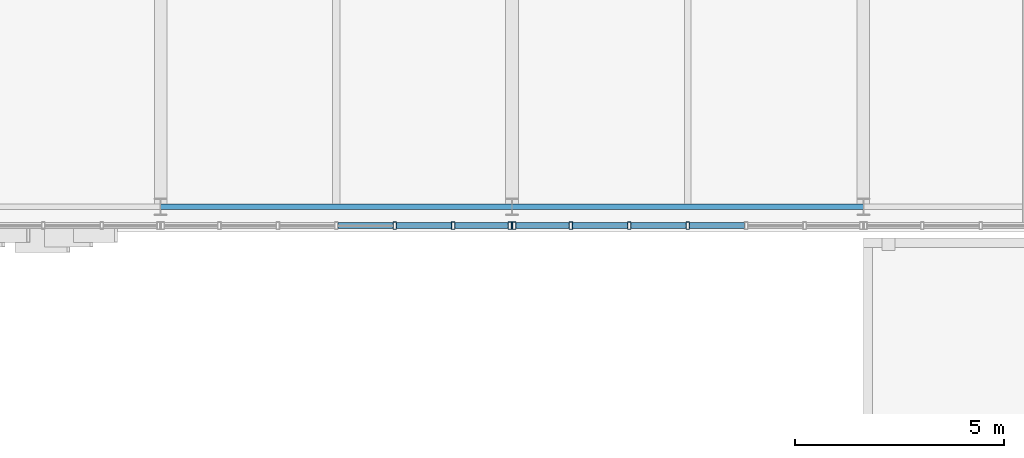
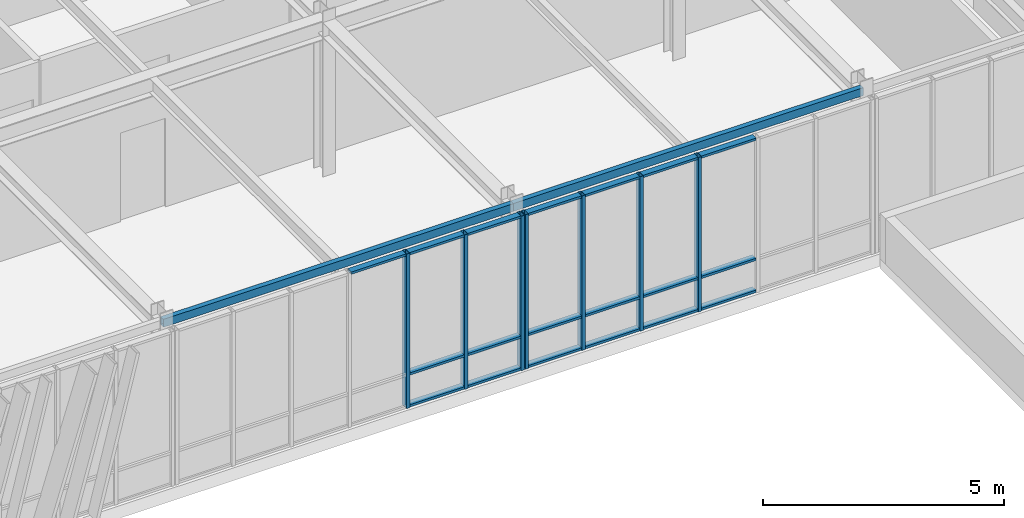
# One storey, part 25 of 127: 26 members, 2 beams, 2 elements without a shape of their own.
"""IFC4 building model written with IfcOpenShell, lengths in metres."""

from ifc_helpers import new_model, si_unit, direction, frame, origin, origin_2d, place, context, subcontext, project, spatial, hollow_rectangle, extrude, material, layer, layer_set, material_profile, profile_set, type_object, element, aggregate, save


model = new_model("IFC4")

# Units and contexts
model_context = context("Model", 3, precision=1e-05, world=origin(), true_north=direction((0.0, 1.0)))
body_context = subcontext(model_context, "Body", "Model", "MODEL_VIEW")
ifc_project = project(units=[si_unit("LENGTHUNIT", "METRE"), si_unit("AREAUNIT", "SQUARE_METRE"), si_unit("VOLUMEUNIT", "CUBIC_METRE"), si_unit("PLANEANGLEUNIT", "RADIAN"), si_unit("MASSUNIT", "GRAM", prefix="KILO")], contexts=[model_context])

# Site, building, storey
site_placement = place(None, origin())
site = spatial("IfcSite", under=ifc_project, at=site_placement, CompositionType="ELEMENT")
building_placement = place(site_placement, origin())
building = spatial("IfcBuilding", under=site, at=building_placement, Name="Zayran Congress Hotel", CompositionType="ELEMENT")
storey_placement = place(building_placement, frame((0.0, 0.0, 10.800048828125)))
storey = spatial("IfcBuildingStorey", under=building, at=storey_placement, Name="L02", CompositionType="ELEMENT", Elevation=10.800048828125)

# Beams
ifc_material_1 = material(Name="Steel S355", Category="steel")
ifc_material_profile_1 = material_profile(ifc_material_1, hollow_rectangle(XDim=0.1201171875, YDim=0.199951171875, WallThickness=0.008056640625, at=origin_2d()), Name="RHS 200x120x8")
ifc_profile_set_1 = profile_set([ifc_material_profile_1], Name="Steel S355")
beam_type = type_object("IfcBeamType", Name="TP-SP-02", PredefinedType="SPANDREL", material=ifc_profile_set_1)
beam_1_placement = place(storey_placement, frame((58.800048828125, 68.199951171875, 3.820068359375), z_axis=(1.0, 0.0, 0.0), x_axis=(0.0, 1.0, 0.0)))
element("IfcBeam", 1, at=beam_1_placement, inside=storey, type_object=beam_type, Name="BM-V1-L02-0658", PredefinedType="SPANDREL", context=body_context, shape_type="SweptSolid", body=[
    extrude(hollow_rectangle(XDim=0.1201171875, YDim=0.199951171875, WallThickness=0.008056640625, at=origin_2d()), origin(), (0.0, 0.0, 1.0), 8.39990234375),
])
beam_2_placement = place(storey_placement, frame((67.199951171875, 68.199951171875, 3.820068359375), z_axis=(1.0, 0.0, 0.0), x_axis=(0.0, 1.0, 0.0)))
element("IfcBeam", 2, at=beam_2_placement, inside=storey, type_object=beam_type, Name="BM-V1-L02-0659", PredefinedType="SPANDREL", context=body_context, shape_type="SweptSolid", body=[
    extrude(hollow_rectangle(XDim=0.1201171875, YDim=0.199951171875, WallThickness=0.008056640625, at=origin_2d()), origin(), (0.0, 0.0, 1.0), 8.400146484375),
])

# Curtain wall, members
ifc_material_2 = material(Name="Anodised aluminium and low-E insulated glass", Category="aluminium")
ifc_layer_1 = layer(ifc_material_2, 0.179931640625)
ifc_layer_set_1 = layer_set([ifc_layer_1], Name="Anodised aluminium and low-E insulated glass")
curtain_wall_type_1 = type_object("IfcCurtainWallType", Name="CW-V1S-L02-CW-11-8380-3920", PredefinedType="USERDEFINED", material=ifc_layer_set_1)
curtain_wall_1_placement = place(storey_placement, origin())
curtain_wall_1 = element("IfcCurtainWall", 3, at=curtain_wall_1_placement, inside=storey, type_object=curtain_wall_type_1, Name="CW-V1S-L02-6", ObjectType="CURTAIN WALL", PredefinedType="USERDEFINED")
ifc_material_3 = material(Name="Anodised aluminium framing", Category="aluminium")
ifc_material_profile_2 = material_profile(ifc_material_3, hollow_rectangle(XDim=0.080078125, YDim=0.179931640625, WallThickness=0.0048828125, at=origin_2d()), Name="RHS 180x80x5")
ifc_profile_set_2 = profile_set([ifc_material_profile_2], Name="Anodised aluminium framing")
member_type_1 = type_object("IfcMemberType", Name="TP-CWM-01", PredefinedType="MULLION", material=ifc_profile_set_2)
member_1_placement = place(storey_placement, frame((64.396728515625, 67.75, 0.0), z_axis=(0.0, 0.0, 1.0), x_axis=(1.0, 0.0, 0.0)))
member_1 = element("IfcMember", 4, at=member_1_placement, type_object=member_type_1, Name="CW-V1S-L02-6-M04", PredefinedType="MULLION", context=body_context, shape_type="SweptSolid", body=[
    extrude(hollow_rectangle(XDim=0.080078125, YDim=0.179931640625, WallThickness=0.0048828125, at=origin_2d()), origin(), (0.0, 0.0, 1.0), 3.919921875),
])
member_2_placement = place(storey_placement, frame((65.793212890625, 67.75, 0.0), z_axis=(0.0, 0.0, 1.0), x_axis=(1.0, 0.0, 0.0)))
member_2 = element("IfcMember", 5, at=member_2_placement, type_object=member_type_1, Name="CW-V1S-L02-6-M05", PredefinedType="MULLION", context=body_context, shape_type="SweptSolid", body=[
    extrude(hollow_rectangle(XDim=0.080078125, YDim=0.179931640625, WallThickness=0.0048828125, at=origin_2d()), origin(), (0.0, 0.0, 1.0), 3.919921875),
])
member_3_placement = place(storey_placement, frame((67.14990234375, 67.75, 0.0), z_axis=(0.0, 0.0, 1.0), x_axis=(1.0, 0.0, 0.0)))
member_3 = element("IfcMember", 6, at=member_3_placement, type_object=member_type_1, Name="CW-V1S-L02-6-M06", PredefinedType="MULLION", context=body_context, shape_type="SweptSolid", body=[
    extrude(hollow_rectangle(XDim=0.080078125, YDim=0.179931640625, WallThickness=0.0048828125, at=origin_2d()), origin(), (0.0, 0.0, 1.0), 3.919921875),
])

ifc_layer_2 = layer(ifc_material_2, 0.179931640625)
ifc_layer_set_2 = layer_set([ifc_layer_2], Name="Anodised aluminium and low-E insulated glass")
curtain_wall_type_2 = type_object("IfcCurtainWallType", Name="CW-V1S-L02-CW-12-8380-3920", PredefinedType="USERDEFINED", material=ifc_layer_set_2)
curtain_wall_2_placement = place(storey_placement, origin())
curtain_wall_2 = element("IfcCurtainWall", 7, at=curtain_wall_2_placement, inside=storey, type_object=curtain_wall_type_2, Name="CW-V1S-L02-7", ObjectType="CURTAIN WALL", PredefinedType="USERDEFINED")
member_4_placement = place(storey_placement, frame((67.25, 67.75, 0.0), z_axis=(0.0, 0.0, 1.0), x_axis=(1.0, 0.0, 0.0)))
member_4 = element("IfcMember", 8, at=member_4_placement, type_object=member_type_1, Name="CW-V1S-L02-7-M00", PredefinedType="MULLION", context=body_context, shape_type="SweptSolid", body=[
    extrude(hollow_rectangle(XDim=0.080078125, YDim=0.179931640625, WallThickness=0.0048828125, at=origin_2d()), origin(), (0.0, 0.0, 1.0), 3.919921875),
])
member_5_placement = place(storey_placement, frame((68.606689453125, 67.75, 0.0), z_axis=(0.0, 0.0, 1.0), x_axis=(1.0, 0.0, 0.0)))
member_5 = element("IfcMember", 9, at=member_5_placement, type_object=member_type_1, Name="CW-V1S-L02-7-M01", PredefinedType="MULLION", context=body_context, shape_type="SweptSolid", body=[
    extrude(hollow_rectangle(XDim=0.080078125, YDim=0.179931640625, WallThickness=0.0048828125, at=origin_2d()), origin(), (0.0, 0.0, 1.0), 3.919921875),
])
member_6_placement = place(storey_placement, frame((70.00341796875, 67.75, 0.0), z_axis=(0.0, 0.0, 1.0), x_axis=(1.0, 0.0, 0.0)))
member_6 = element("IfcMember", 10, at=member_6_placement, type_object=member_type_1, Name="CW-V1S-L02-7-M02", PredefinedType="MULLION", context=body_context, shape_type="SweptSolid", body=[
    extrude(hollow_rectangle(XDim=0.080078125, YDim=0.179931640625, WallThickness=0.0048828125, at=origin_2d()), origin(), (0.0, 0.0, 1.0), 3.919921875),
])
member_7_placement = place(storey_placement, frame((71.39990234375, 67.75, 0.0), z_axis=(0.0, 0.0, 1.0), x_axis=(1.0, 0.0, 0.0)))
member_7 = element("IfcMember", 11, at=member_7_placement, type_object=member_type_1, Name="CW-V1S-L02-7-M03", PredefinedType="MULLION", context=body_context, shape_type="SweptSolid", body=[
    extrude(hollow_rectangle(XDim=0.080078125, YDim=0.179931640625, WallThickness=0.0048828125, at=origin_2d()), origin(), (0.0, 0.0, 1.0), 3.919921875),
])

# Member
ifc_material_profile_3 = material_profile(ifc_material_3, hollow_rectangle(XDim=0.06005859375, YDim=0.14990234375, WallThickness=0.00390625, at=origin_2d()), Name="RHS 150x60x4")
ifc_profile_set_3 = profile_set([ifc_material_profile_3], Name="Anodised aluminium framing")
member_type_2 = type_object("IfcMemberType", Name="TP-CWT-01", PredefinedType="USERDEFINED", material=ifc_profile_set_3)
member_8_placement = place(storey_placement, frame((63.0400390625, 67.75, 3.889892578125), z_axis=(1.0, 0.0, 0.0), x_axis=(0.0, 0.0, 1.0)))
member_8 = element("IfcMember", 12, at=member_8_placement, type_object=member_type_2, Name="CW-V1S-L02-6-T03-2", ObjectType="TRANSOM", PredefinedType="USERDEFINED", context=body_context, shape_type="SweptSolid", body=[
    extrude(hollow_rectangle(XDim=0.06005859375, YDim=0.14990234375, WallThickness=0.00390625, at=origin_2d()), origin(), (0.0, 0.0, 1.0), 1.316650390625),
])

member_9_placement = place(storey_placement, frame((64.436767578125, 67.75, 0.030029296875), z_axis=(1.0, 0.0, 0.0), x_axis=(0.0, 0.0, 1.0)))
member_9 = element("IfcMember", 13, at=member_9_placement, type_object=member_type_2, Name="CW-V1S-L02-6-T04-0", ObjectType="TRANSOM", PredefinedType="USERDEFINED", context=body_context, shape_type="SweptSolid", body=[
    extrude(hollow_rectangle(XDim=0.06005859375, YDim=0.14990234375, WallThickness=0.00390625, at=origin_2d()), origin(), (0.0, 0.0, 1.0), 1.316650390625),
])

member_10_placement = place(storey_placement, frame((64.436767578125, 67.75, 0.83984375), z_axis=(1.0, 0.0, 0.0), x_axis=(0.0, 0.0, 1.0)))
member_10 = element("IfcMember", 14, at=member_10_placement, type_object=member_type_2, Name="CW-V1S-L02-6-T04-1", ObjectType="TRANSOM", PredefinedType="USERDEFINED", context=body_context, shape_type="SweptSolid", body=[
    extrude(hollow_rectangle(XDim=0.06005859375, YDim=0.14990234375, WallThickness=0.00390625, at=origin_2d()), origin(), (0.0, 0.0, 1.0), 1.316650390625),
])

member_11_placement = place(storey_placement, frame((64.436767578125, 67.75, 3.889892578125), z_axis=(1.0, 0.0, 0.0), x_axis=(0.0, 0.0, 1.0)))
member_11 = element("IfcMember", 15, at=member_11_placement, type_object=member_type_2, Name="CW-V1S-L02-6-T04-2", ObjectType="TRANSOM", PredefinedType="USERDEFINED", context=body_context, shape_type="SweptSolid", body=[
    extrude(hollow_rectangle(XDim=0.06005859375, YDim=0.14990234375, WallThickness=0.00390625, at=origin_2d()), origin(), (0.0, 0.0, 1.0), 1.316650390625),
])

member_12_placement = place(storey_placement, frame((65.833251953125, 67.75, 0.030029296875), z_axis=(1.0, 0.0, 0.0), x_axis=(0.0, 0.0, 1.0)))
member_12 = element("IfcMember", 16, at=member_12_placement, type_object=member_type_2, Name="CW-V1S-L02-6-T05-0", ObjectType="TRANSOM", PredefinedType="USERDEFINED", context=body_context, shape_type="SweptSolid", body=[
    extrude(hollow_rectangle(XDim=0.06005859375, YDim=0.14990234375, WallThickness=0.00390625, at=origin_2d()), origin(), (0.0, 0.0, 1.0), 1.27685546875),
])

member_13_placement = place(storey_placement, frame((65.833251953125, 67.75, 0.83984375), z_axis=(1.0, 0.0, 0.0), x_axis=(0.0, 0.0, 1.0)))
member_13 = element("IfcMember", 17, at=member_13_placement, type_object=member_type_2, Name="CW-V1S-L02-6-T05-1", ObjectType="TRANSOM", PredefinedType="USERDEFINED", context=body_context, shape_type="SweptSolid", body=[
    extrude(hollow_rectangle(XDim=0.06005859375, YDim=0.14990234375, WallThickness=0.00390625, at=origin_2d()), origin(), (0.0, 0.0, 1.0), 1.27685546875),
])

member_14_placement = place(storey_placement, frame((65.833251953125, 67.75, 3.889892578125), z_axis=(1.0, 0.0, 0.0), x_axis=(0.0, 0.0, 1.0)))
member_14 = element("IfcMember", 18, at=member_14_placement, type_object=member_type_2, Name="CW-V1S-L02-6-T05-2", ObjectType="TRANSOM", PredefinedType="USERDEFINED", context=body_context, shape_type="SweptSolid", body=[
    extrude(hollow_rectangle(XDim=0.06005859375, YDim=0.14990234375, WallThickness=0.00390625, at=origin_2d()), origin(), (0.0, 0.0, 1.0), 1.27685546875),
])

aggregate(curtain_wall_1, [member_1, member_2, member_3, member_8, member_9, member_10, member_11, member_12, member_13, member_14])

member_15_placement = place(storey_placement, frame((67.2900390625, 67.75, 0.030029296875), z_axis=(1.0, 0.0, 0.0), x_axis=(0.0, 0.0, 1.0)))
member_15 = element("IfcMember", 19, at=member_15_placement, type_object=member_type_2, Name="CW-V1S-L02-7-T00-0", ObjectType="TRANSOM", PredefinedType="USERDEFINED", context=body_context, shape_type="SweptSolid", body=[
    extrude(hollow_rectangle(XDim=0.06005859375, YDim=0.14990234375, WallThickness=0.00390625, at=origin_2d()), origin(), (0.0, 0.0, 1.0), 1.276611328125),
])

member_16_placement = place(storey_placement, frame((67.2900390625, 67.75, 0.83984375), z_axis=(1.0, 0.0, 0.0), x_axis=(0.0, 0.0, 1.0)))
member_16 = element("IfcMember", 20, at=member_16_placement, type_object=member_type_2, Name="CW-V1S-L02-7-T00-1", ObjectType="TRANSOM", PredefinedType="USERDEFINED", context=body_context, shape_type="SweptSolid", body=[
    extrude(hollow_rectangle(XDim=0.06005859375, YDim=0.14990234375, WallThickness=0.00390625, at=origin_2d()), origin(), (0.0, 0.0, 1.0), 1.276611328125),
])

member_17_placement = place(storey_placement, frame((67.2900390625, 67.75, 3.889892578125), z_axis=(1.0, 0.0, 0.0), x_axis=(0.0, 0.0, 1.0)))
member_17 = element("IfcMember", 21, at=member_17_placement, type_object=member_type_2, Name="CW-V1S-L02-7-T00-2", ObjectType="TRANSOM", PredefinedType="USERDEFINED", context=body_context, shape_type="SweptSolid", body=[
    extrude(hollow_rectangle(XDim=0.06005859375, YDim=0.14990234375, WallThickness=0.00390625, at=origin_2d()), origin(), (0.0, 0.0, 1.0), 1.276611328125),
])

member_18_placement = place(storey_placement, frame((68.646728515625, 67.75, 0.030029296875), z_axis=(1.0, 0.0, 0.0), x_axis=(0.0, 0.0, 1.0)))
member_18 = element("IfcMember", 22, at=member_18_placement, type_object=member_type_2, Name="CW-V1S-L02-7-T01-0", ObjectType="TRANSOM", PredefinedType="USERDEFINED", context=body_context, shape_type="SweptSolid", body=[
    extrude(hollow_rectangle(XDim=0.06005859375, YDim=0.14990234375, WallThickness=0.00390625, at=origin_2d()), origin(), (0.0, 0.0, 1.0), 1.316650390625),
])

member_19_placement = place(storey_placement, frame((68.646728515625, 67.75, 0.83984375), z_axis=(1.0, 0.0, 0.0), x_axis=(0.0, 0.0, 1.0)))
member_19 = element("IfcMember", 23, at=member_19_placement, type_object=member_type_2, Name="CW-V1S-L02-7-T01-1", ObjectType="TRANSOM", PredefinedType="USERDEFINED", context=body_context, shape_type="SweptSolid", body=[
    extrude(hollow_rectangle(XDim=0.06005859375, YDim=0.14990234375, WallThickness=0.00390625, at=origin_2d()), origin(), (0.0, 0.0, 1.0), 1.316650390625),
])

member_20_placement = place(storey_placement, frame((68.646728515625, 67.75, 3.889892578125), z_axis=(1.0, 0.0, 0.0), x_axis=(0.0, 0.0, 1.0)))
member_20 = element("IfcMember", 24, at=member_20_placement, type_object=member_type_2, Name="CW-V1S-L02-7-T01-2", ObjectType="TRANSOM", PredefinedType="USERDEFINED", context=body_context, shape_type="SweptSolid", body=[
    extrude(hollow_rectangle(XDim=0.06005859375, YDim=0.14990234375, WallThickness=0.00390625, at=origin_2d()), origin(), (0.0, 0.0, 1.0), 1.316650390625),
])

member_21_placement = place(storey_placement, frame((70.043212890625, 67.75, 0.030029296875), z_axis=(1.0, 0.0, 0.0), x_axis=(0.0, 0.0, 1.0)))
member_21 = element("IfcMember", 25, at=member_21_placement, type_object=member_type_2, Name="CW-V1S-L02-7-T02-0", ObjectType="TRANSOM", PredefinedType="USERDEFINED", context=body_context, shape_type="SweptSolid", body=[
    extrude(hollow_rectangle(XDim=0.06005859375, YDim=0.14990234375, WallThickness=0.00390625, at=origin_2d()), origin(), (0.0, 0.0, 1.0), 1.31689453125),
])

member_22_placement = place(storey_placement, frame((70.043212890625, 67.75, 0.83984375), z_axis=(1.0, 0.0, 0.0), x_axis=(0.0, 0.0, 1.0)))
member_22 = element("IfcMember", 26, at=member_22_placement, type_object=member_type_2, Name="CW-V1S-L02-7-T02-1", ObjectType="TRANSOM", PredefinedType="USERDEFINED", context=body_context, shape_type="SweptSolid", body=[
    extrude(hollow_rectangle(XDim=0.06005859375, YDim=0.14990234375, WallThickness=0.00390625, at=origin_2d()), origin(), (0.0, 0.0, 1.0), 1.31689453125),
])

member_23_placement = place(storey_placement, frame((70.043212890625, 67.75, 3.889892578125), z_axis=(1.0, 0.0, 0.0), x_axis=(0.0, 0.0, 1.0)))
member_23 = element("IfcMember", 27, at=member_23_placement, type_object=member_type_2, Name="CW-V1S-L02-7-T02-2", ObjectType="TRANSOM", PredefinedType="USERDEFINED", context=body_context, shape_type="SweptSolid", body=[
    extrude(hollow_rectangle(XDim=0.06005859375, YDim=0.14990234375, WallThickness=0.00390625, at=origin_2d()), origin(), (0.0, 0.0, 1.0), 1.31689453125),
])

member_24_placement = place(storey_placement, frame((71.43994140625, 67.75, 0.030029296875), z_axis=(1.0, 0.0, 0.0), x_axis=(0.0, 0.0, 1.0)))
member_24 = element("IfcMember", 28, at=member_24_placement, type_object=member_type_2, Name="CW-V1S-L02-7-T03-0", ObjectType="TRANSOM", PredefinedType="USERDEFINED", context=body_context, shape_type="SweptSolid", body=[
    extrude(hollow_rectangle(XDim=0.06005859375, YDim=0.14990234375, WallThickness=0.00390625, at=origin_2d()), origin(), (0.0, 0.0, 1.0), 1.316650390625),
])

member_25_placement = place(storey_placement, frame((71.43994140625, 67.75, 0.83984375), z_axis=(1.0, 0.0, 0.0), x_axis=(0.0, 0.0, 1.0)))
member_25 = element("IfcMember", 29, at=member_25_placement, type_object=member_type_2, Name="CW-V1S-L02-7-T03-1", ObjectType="TRANSOM", PredefinedType="USERDEFINED", context=body_context, shape_type="SweptSolid", body=[
    extrude(hollow_rectangle(XDim=0.06005859375, YDim=0.14990234375, WallThickness=0.00390625, at=origin_2d()), origin(), (0.0, 0.0, 1.0), 1.316650390625),
])

member_26_placement = place(storey_placement, frame((71.43994140625, 67.75, 3.889892578125), z_axis=(1.0, 0.0, 0.0), x_axis=(0.0, 0.0, 1.0)))
member_26 = element("IfcMember", 30, at=member_26_placement, type_object=member_type_2, Name="CW-V1S-L02-7-T03-2", ObjectType="TRANSOM", PredefinedType="USERDEFINED", context=body_context, shape_type="SweptSolid", body=[
    extrude(hollow_rectangle(XDim=0.06005859375, YDim=0.14990234375, WallThickness=0.00390625, at=origin_2d()), origin(), (0.0, 0.0, 1.0), 1.316650390625),
])

aggregate(curtain_wall_2, [member_4, member_5, member_6, member_7, member_15, member_16, member_17, member_18, member_19, member_20, member_21, member_22, member_23, member_24, member_25, member_26])

save(model, "model.ifc")
